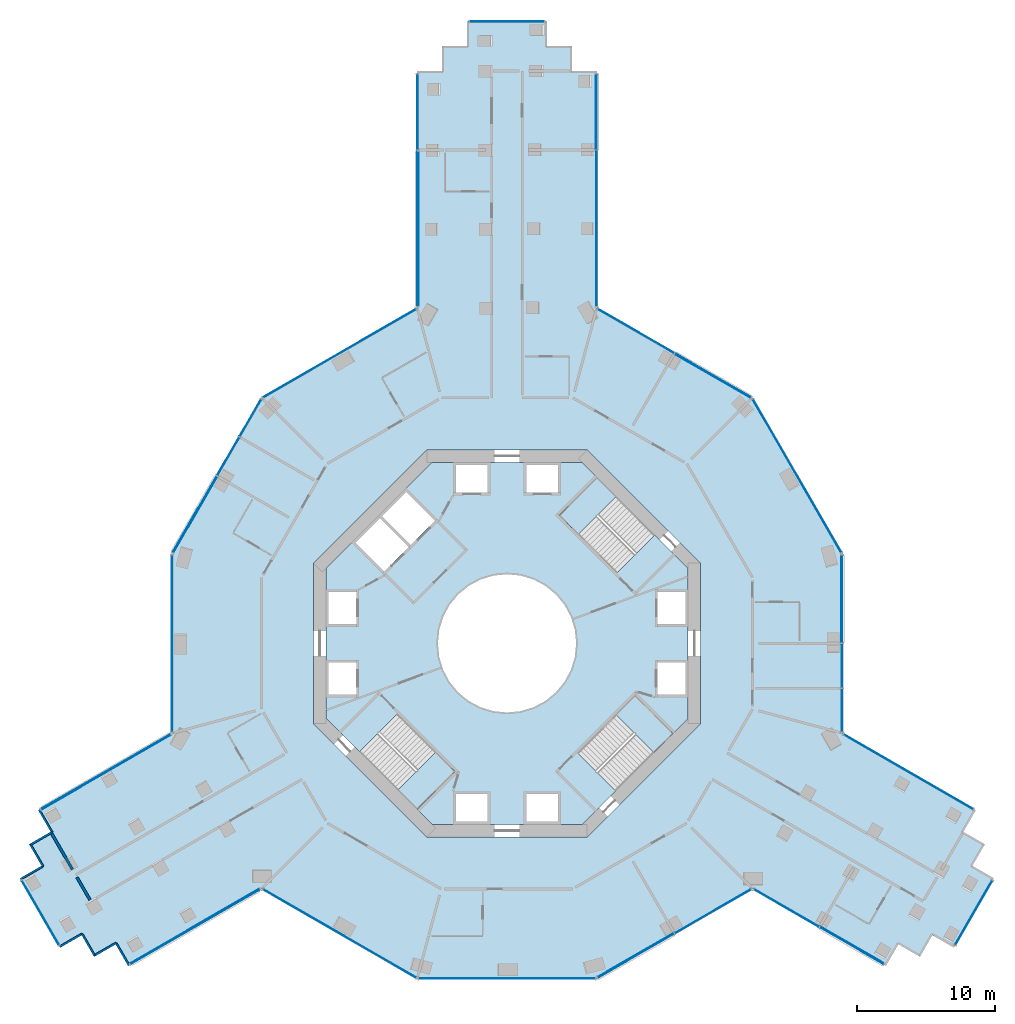
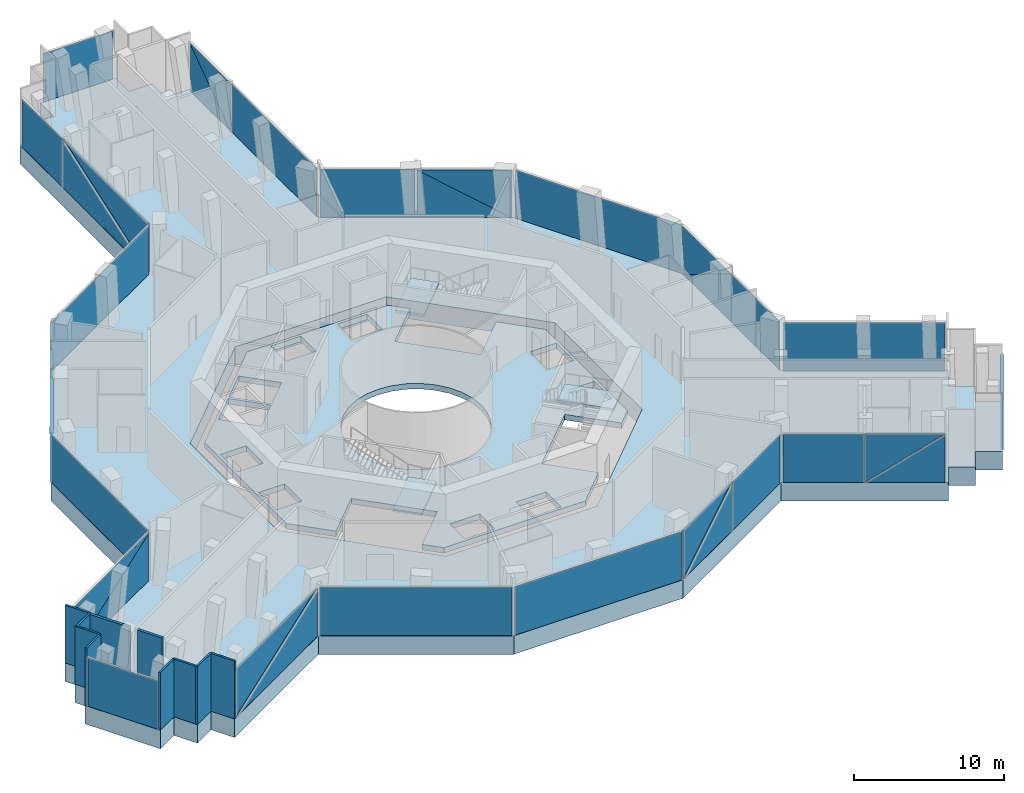
# One storey, part 8 of 16: 36 plates, 10 walls, 5 slabs, 21 elements without a shape of their own.
"""IFC4 building model written with IfcOpenShell, lengths in metres."""

from ifc_helpers import new_model, si_unit, direction, frame, frame_2d, origin, origin_2d, place, context, subcontext, project, spatial, polyline, rectangle, outline, extrude, material, layer, layer_set, type_object, element, aggregate, save


model = new_model("IFC4")

# Units and contexts
model_context = context("Model", 3, precision=1e-05, world=origin(), true_north=direction((0.0, 1.0)))
body_context = subcontext(model_context, "Body", "Model", "MODEL_VIEW")
ifc_project = project(units=[si_unit("LENGTHUNIT", "METRE"), si_unit("AREAUNIT", "SQUARE_METRE"), si_unit("VOLUMEUNIT", "CUBIC_METRE"), si_unit("PLANEANGLEUNIT", "RADIAN"), si_unit("MASSUNIT", "GRAM", prefix="KILO")], contexts=[model_context])

# Site, building, storey
site_placement = place(None, origin())
site = spatial("IfcSite", under=ifc_project, at=site_placement, CompositionType="ELEMENT")
building_placement = place(site_placement, origin())
building = spatial("IfcBuilding", under=site, at=building_placement, Name="Verdalira Terraces Hotel", CompositionType="ELEMENT")
storey_placement = place(building_placement, frame((0.0, 0.0, 34.0)))
storey = spatial("IfcBuildingStorey", under=building, at=storey_placement, Name="L06", CompositionType="ELEMENT", Elevation=34.0)

# Curtain wall, plates
ifc_material_1 = material(Name="Clear glass", Category="glass")
ifc_layer_1 = layer(ifc_material_1, 0.239990234375)
ifc_layer_set_1 = layer_set([ifc_layer_1], Name="CW5 curtain wall")
curtain_wall_type = type_object("IfcCurtainWallType", Name="CW5 curtain wall", PredefinedType="NOTDEFINED", material=ifc_layer_set_1)
curtain_wall_1_placement = place(storey_placement, origin())
curtain_wall_1 = element("IfcCurtainWall", 1, at=curtain_wall_1_placement, inside=storey, type_object=curtain_wall_type, Name="CW5 curtain wall L06 edge 0", PredefinedType="NOTDEFINED")
ifc_material_2 = material(Name="Clear glass", Category="glass")
ifc_layer_2 = layer(ifc_material_2, 0.0439453125)
ifc_layer_set_2 = layer_set([ifc_layer_2], Name="CW5 glass unit 44")
plate_type = type_object("IfcPlateType", Name="CW5 glass unit 44", PredefinedType="CURTAIN_PANEL", material=ifc_layer_set_2)
plate_1_placement = place(storey_placement, frame((6.469971, 30.015625, 0.0), z_axis=(0.0, 0.0, 1.0), x_axis=(0.0, 1.0, 0.0)))
plate_1 = element("IfcPlate", 2, at=plate_1_placement, type_object=plate_type, Name="CW5 glass unit", PredefinedType="CURTAIN_PANEL", context=body_context, shape_type="SweptSolid", body=[
    extrude(rectangle(XDim=11.270752, YDim=0.043945, at=origin_2d()), origin(), (0.0, 0.0, 1.0), 3.915039),
])
plate_2_placement = place(storey_placement, frame((6.447998, 38.450439, 1.95752), z_axis=(1.0, 0.0, 0.0), x_axis=(0.0, 1.0, 0.0)))
plate_2 = element("IfcPlate", 3, at=plate_2_placement, type_object=plate_type, Name="CW5 glass unit", PredefinedType="CURTAIN_PANEL", context=body_context, shape_type="SweptSolid", body=[
    extrude(outline(polyline([(-2.729492, -1.95752), (2.729492, -1.95752), (2.729492, 1.95752), (-2.729492, -1.95752)])), origin(), (0.0, 0.0, 1.0), 0.043945),
])
plate_3_placement = place(storey_placement, frame((6.403076, 38.450439, 1.95752), z_axis=(1.0, 0.0, 0.0), x_axis=(0.0, 1.0, 0.0)))
plate_3 = element("IfcPlate", 4, at=plate_3_placement, type_object=plate_type, Name="CW5 glass unit", PredefinedType="CURTAIN_PANEL", context=body_context, shape_type="SweptSolid", body=[
    extrude(outline(polyline([(-2.729492, -1.95752), (2.729492, 1.95752), (-2.729492, 1.95752), (-2.729492, -1.95752)])), origin(), (0.0, 0.0, 1.0), 0.043945),
])
aggregate(curtain_wall_1, [plate_1, plate_2, plate_3])

# Curtain wall, plate
curtain_wall_2_placement = place(storey_placement, origin())
curtain_wall_2 = element("IfcCurtainWall", 5, at=curtain_wall_2_placement, inside=storey, type_object=curtain_wall_type, Name="CW5 curtain wall L06 edge 5", PredefinedType="NOTDEFINED")
plate_4_placement = place(storey_placement, frame((0.0, 44.969971, 0.0), z_axis=(0.0, 0.0, 1.0), x_axis=(-1.0, 0.0, 0.0)))
plate_4 = element("IfcPlate", 6, at=plate_4_placement, type_object=plate_type, Name="CW5 glass unit", PredefinedType="CURTAIN_PANEL", context=body_context, shape_type="SweptSolid", body=[
    extrude(rectangle(XDim=5.360107, YDim=0.043945, at=origin_2d()), origin(), (0.0, 0.0, 1.0), 3.915039),
])
aggregate(curtain_wall_2, [plate_4])

# Curtain wall, plates
curtain_wall_3_placement = place(storey_placement, origin())
curtain_wall_3 = element("IfcCurtainWall", 7, at=curtain_wall_3_placement, inside=storey, type_object=curtain_wall_type, Name="CW5 curtain wall L06 edge 10", PredefinedType="NOTDEFINED")
plate_5_placement = place(storey_placement, frame((-6.469971, 38.450439, 0.0), z_axis=(0.0, 0.0, 1.0), x_axis=(0.0, -1.0, 0.0)))
plate_5 = element("IfcPlate", 8, at=plate_5_placement, type_object=plate_type, Name="CW5 glass unit", PredefinedType="CURTAIN_PANEL", context=body_context, shape_type="SweptSolid", body=[
    extrude(rectangle(XDim=5.458984, YDim=0.043945, at=origin_2d()), origin(), (0.0, 0.0, 1.0), 3.915039),
])
plate_6_placement = place(storey_placement, frame((-6.447998, 30.015625, 1.95752), z_axis=(-1.0, 0.0, 0.0), x_axis=(0.0, -1.0, 0.0)))
plate_6 = element("IfcPlate", 9, at=plate_6_placement, type_object=plate_type, Name="CW5 glass unit", PredefinedType="CURTAIN_PANEL", context=body_context, shape_type="SweptSolid", body=[
    extrude(outline(polyline([(-5.635254, -1.95752), (5.635254, -1.95752), (-5.635254, 1.95752), (-5.635254, -1.95752)])), origin(), (0.0, 0.0, 1.0), 0.043945),
])
plate_7_placement = place(storey_placement, frame((-6.403076, 30.015625, 1.95752), z_axis=(-1.0, 0.0, 0.0), x_axis=(0.0, -1.0, 0.0)))
plate_7 = element("IfcPlate", 10, at=plate_7_placement, type_object=plate_type, Name="CW5 glass unit", PredefinedType="CURTAIN_PANEL", context=body_context, shape_type="SweptSolid", body=[
    extrude(outline(polyline([(5.635254, -1.95752), (5.635254, 1.95752), (-5.635254, 1.95752), (5.635254, -1.95752)])), origin(), (0.0, 0.0, 1.0), 0.043945),
])
aggregate(curtain_wall_3, [plate_5, plate_6, plate_7])

# Curtain wall, plate
curtain_wall_4_placement = place(storey_placement, origin())
curtain_wall_4 = element("IfcCurtainWall", 11, at=curtain_wall_4_placement, inside=storey, type_object=curtain_wall_type, Name="CW5 curtain wall L06 edge 11", PredefinedType="NOTDEFINED")
plate_8_placement = place(storey_placement, frame((-12.119141, 20.979492, 0.0), z_axis=(0.0, 0.0, 1.0), x_axis=(-0.866025404, -0.5, 0.0)))
plate_8 = element("IfcPlate", 12, at=plate_8_placement, type_object=plate_type, Name="CW5 glass unit", PredefinedType="CURTAIN_PANEL", context=body_context, shape_type="SweptSolid", body=[
    extrude(rectangle(XDim=12.767822, YDim=0.043945, at=origin_2d()), origin(), (0.0, 0.0, 1.0), 3.915039),
])
aggregate(curtain_wall_4, [plate_8])

# Curtain wall, plates
curtain_wall_5_placement = place(storey_placement, origin())
curtain_wall_5 = element("IfcCurtainWall", 13, at=curtain_wall_5_placement, inside=storey, type_object=curtain_wall_type, Name="CW5 curtain wall L06 edge 12", PredefinedType="NOTDEFINED")
plate_9_placement = place(storey_placement, frame((-18.563721, 16.303467, 0.0), z_axis=(0.0, 0.0, 1.0), x_axis=(-0.5, -0.866025404, 0.0)))
plate_9 = element("IfcPlate", 14, at=plate_9_placement, type_object=plate_type, Name="CW5 glass unit", PredefinedType="CURTAIN_PANEL", context=body_context, shape_type="SweptSolid", body=[
    extrude(rectangle(XDim=3.104736, YDim=0.043945, at=origin_2d()), origin(), (0.0, 0.0, 1.0), 3.915039),
])
plate_10_placement = place(storey_placement, frame((-20.169922, 13.521484, 0.0), z_axis=(0.0, 0.0, 1.0), x_axis=(-0.5, -0.866025404, 0.0)))
plate_10 = element("IfcPlate", 15, at=plate_10_placement, type_object=plate_type, Name="CW5 glass unit", PredefinedType="CURTAIN_PANEL", context=body_context, shape_type="SweptSolid", body=[
    extrude(rectangle(XDim=3.179932, YDim=0.043945, at=origin_2d()), origin(), (0.0, 0.0, 1.0), 3.915039),
])
plate_11_placement = place(storey_placement, frame((-22.56958, 9.321045, 1.95752), z_axis=(-0.866025404, 0.5, 0.0), x_axis=(-0.5, -0.866025404, 0.0)))
plate_11 = element("IfcPlate", 16, at=plate_11_placement, type_object=plate_type, Name="CW5 glass unit", PredefinedType="CURTAIN_PANEL", context=body_context, shape_type="SweptSolid", body=[
    extrude(outline(polyline([(-3.177246, -1.95752), (3.177246, -1.95752), (3.177246, 1.95752), (-3.177246, -1.95752)])), origin(), (0.0, 0.0, 1.0), 0.043945),
])
plate_12_placement = place(storey_placement, frame((-22.530762, 9.298584, 1.95752), z_axis=(-0.866025404, 0.5, 0.0), x_axis=(-0.5, -0.866025404, 0.0)))
plate_12 = element("IfcPlate", 17, at=plate_12_placement, type_object=plate_type, Name="CW5 glass unit", PredefinedType="CURTAIN_PANEL", context=body_context, shape_type="SweptSolid", body=[
    extrude(outline(polyline([(-3.177246, -1.95752), (3.177246, 1.95752), (-3.177246, 1.95752), (-3.177246, -1.95752)])), origin(), (0.0, 0.0, 1.0), 0.043945),
])
aggregate(curtain_wall_5, [plate_9, plate_10, plate_11, plate_12])

# Curtain wall, plate
curtain_wall_6_placement = place(storey_placement, origin())
curtain_wall_6 = element("IfcCurtainWall", 18, at=curtain_wall_6_placement, inside=storey, type_object=curtain_wall_type, Name="CW5 curtain wall L06 edge 13", PredefinedType="NOTDEFINED")
plate_13_placement = place(storey_placement, frame((-24.228271, 0.005859, 0.0), z_axis=(0.0, 0.0, 1.0), x_axis=(0.0, -1.0, 0.0)))
plate_13 = element("IfcPlate", 19, at=plate_13_placement, type_object=plate_type, Name="CW5 glass unit", PredefinedType="CURTAIN_PANEL", context=body_context, shape_type="SweptSolid", body=[
    extrude(rectangle(XDim=12.767822, YDim=0.043945, at=origin_2d()), origin(), (0.0, 0.0, 1.0), 3.915039),
])
aggregate(curtain_wall_6, [plate_13])

# Curtain wall, plates
curtain_wall_7_placement = place(storey_placement, origin())
curtain_wall_7 = element("IfcCurtainWall", 20, at=curtain_wall_7_placement, inside=storey, type_object=curtain_wall_type, Name="CW5 curtain wall L06 edge 14", PredefinedType="NOTDEFINED")
plate_14_placement = place(storey_placement, frame((-29.014404, -9.305908, 1.95752), z_axis=(-0.5, 0.866025404, 0.0), x_axis=(-0.866025404, -0.5, 0.0)))
plate_14 = element("IfcPlate", 21, at=plate_14_placement, type_object=plate_type, Name="CW5 glass unit", PredefinedType="CURTAIN_PANEL", context=body_context, shape_type="SweptSolid", body=[
    extrude(outline(polyline([(-5.399902, -1.95752), (5.399902, -1.95752), (-5.399902, 1.95752), (-5.399902, -1.95752)])), origin(), (0.0, 0.0, 1.0), 0.043945),
])
plate_15_placement = place(storey_placement, frame((-28.991943, -9.344727, 1.95752), z_axis=(-0.5, 0.866025404, 0.0), x_axis=(-0.866025404, -0.5, 0.0)))
plate_15 = element("IfcPlate", 22, at=plate_15_placement, type_object=plate_type, Name="CW5 glass unit", PredefinedType="CURTAIN_PANEL", context=body_context, shape_type="SweptSolid", body=[
    extrude(outline(polyline([(5.399902, -1.95752), (5.399902, 1.95752), (-5.399902, 1.95752), (5.399902, -1.95752)])), origin(), (0.0, 0.0, 1.0), 0.043945),
])
aggregate(curtain_wall_7, [plate_14, plate_15])

# Curtain wall, plate
curtain_wall_8_placement = place(storey_placement, origin())
curtain_wall_8 = element("IfcCurtainWall", 23, at=curtain_wall_8_placement, inside=storey, type_object=curtain_wall_type, Name="CW5 curtain wall L06 edge 19", PredefinedType="NOTDEFINED")
plate_16_placement = place(storey_placement, frame((-33.749023, -19.485107, 0.0), z_axis=(0.0, 0.0, 1.0), x_axis=(0.5, -0.866025404, 0.0)))
plate_16 = element("IfcPlate", 24, at=plate_16_placement, type_object=plate_type, Name="CW5 glass unit", PredefinedType="CURTAIN_PANEL", context=body_context, shape_type="SweptSolid", body=[
    extrude(rectangle(XDim=5.360107, YDim=0.043945, at=origin_2d()), origin(), (0.0, 0.0, 1.0), 3.915039),
])
aggregate(curtain_wall_8, [plate_16])

# Curtain wall, plates
curtain_wall_9_placement = place(storey_placement, origin())
curtain_wall_9 = element("IfcCurtainWall", 25, at=curtain_wall_9_placement, inside=storey, type_object=curtain_wall_type, Name="CW5 curtain wall L06 edge 24", PredefinedType="NOTDEFINED")
plate_17_placement = place(storey_placement, frame((-22.566406, -20.474121, 1.95752), z_axis=(0.5, -0.866025404, 0.0), x_axis=(0.866025404, 0.5, 0.0)))
plate_17 = element("IfcPlate", 26, at=plate_17_placement, type_object=plate_type, Name="CW5 glass unit", PredefinedType="CURTAIN_PANEL", context=body_context, shape_type="SweptSolid", body=[
    extrude(outline(polyline([(-5.399902, -1.95752), (5.399902, -1.95752), (5.399902, 1.95752), (-5.399902, -1.95752)])), origin(), (0.0, 0.0, 1.0), 0.043945),
])
plate_18_placement = place(storey_placement, frame((-22.588867, -20.435303, 1.95752), z_axis=(0.5, -0.866025404, 0.0), x_axis=(0.866025404, 0.5, 0.0)))
plate_18 = element("IfcPlate", 27, at=plate_18_placement, type_object=plate_type, Name="CW5 glass unit", PredefinedType="CURTAIN_PANEL", context=body_context, shape_type="SweptSolid", body=[
    extrude(outline(polyline([(-5.399902, -1.95752), (5.399902, 1.95752), (-5.399902, 1.95752), (-5.399902, -1.95752)])), origin(), (0.0, 0.0, 1.0), 0.043945),
])
aggregate(curtain_wall_9, [plate_17, plate_18])

# Curtain wall, plate
curtain_wall_10_placement = place(storey_placement, origin())
curtain_wall_10 = element("IfcCurtainWall", 28, at=curtain_wall_10_placement, inside=storey, type_object=curtain_wall_type, Name="CW5 curtain wall L06 edge 25", PredefinedType="NOTDEFINED")
plate_19_placement = place(storey_placement, frame((-12.109131, -20.985352, 0.0), z_axis=(0.0, 0.0, 1.0), x_axis=(0.866025404, -0.5, 0.0)))
plate_19 = element("IfcPlate", 29, at=plate_19_placement, type_object=plate_type, Name="CW5 glass unit", PredefinedType="CURTAIN_PANEL", context=body_context, shape_type="SweptSolid", body=[
    extrude(rectangle(XDim=12.767822, YDim=0.043945, at=origin_2d()), origin(), (0.0, 0.0, 1.0), 3.915039),
])
aggregate(curtain_wall_10, [plate_19])

curtain_wall_11_placement = place(storey_placement, origin())
curtain_wall_11 = element("IfcCurtainWall", 30, at=curtain_wall_11_placement, inside=storey, type_object=curtain_wall_type, Name="CW5 curtain wall L06 edge 26", PredefinedType="NOTDEFINED")
plate_20_placement = place(storey_placement, frame((0.0, -24.228271, 0.0), z_axis=(0.0, 0.0, 1.0), x_axis=(1.0, 0.0, 0.0)))
plate_20 = element("IfcPlate", 31, at=plate_20_placement, type_object=plate_type, Name="CW5 glass unit", PredefinedType="CURTAIN_PANEL", context=body_context, shape_type="SweptSolid", body=[
    extrude(rectangle(XDim=12.779541, YDim=0.043945, at=origin_2d()), origin(), (0.0, 0.0, 1.0), 3.915039),
])
aggregate(curtain_wall_11, [plate_20])

# Curtain wall, plates
curtain_wall_12_placement = place(storey_placement, origin())
curtain_wall_12 = element("IfcCurtainWall", 32, at=curtain_wall_12_placement, inside=storey, type_object=curtain_wall_type, Name="CW5 curtain wall L06 edge 27", PredefinedType="NOTDEFINED")
plate_21_placement = place(storey_placement, frame((9.321045, -22.56958, 1.95752), z_axis=(0.5, -0.866025404, 0.0), x_axis=(0.866025404, 0.5, 0.0)))
plate_21 = element("IfcPlate", 33, at=plate_21_placement, type_object=plate_type, Name="CW5 glass unit", PredefinedType="CURTAIN_PANEL", context=body_context, shape_type="SweptSolid", body=[
    extrude(outline(polyline([(-3.177246, -1.95752), (3.177246, -1.95752), (3.177246, 1.95752), (-3.177246, -1.95752)])), origin(), (0.0, 0.0, 1.0), 0.043945),
])
plate_22_placement = place(storey_placement, frame((9.298584, -22.530762, 1.95752), z_axis=(0.5, -0.866025404, 0.0), x_axis=(0.866025404, 0.5, 0.0)))
plate_22 = element("IfcPlate", 34, at=plate_22_placement, type_object=plate_type, Name="CW5 glass unit", PredefinedType="CURTAIN_PANEL", context=body_context, shape_type="SweptSolid", body=[
    extrude(outline(polyline([(-3.177246, -1.95752), (3.177246, 1.95752), (-3.177246, 1.95752), (-3.177246, -1.95752)])), origin(), (0.0, 0.0, 1.0), 0.043945),
])
plate_23_placement = place(storey_placement, frame((14.891113, -19.37915, 0.0), z_axis=(0.0, 0.0, 1.0), x_axis=(0.866025404, 0.5, 0.0)))
plate_23 = element("IfcPlate", 35, at=plate_23_placement, type_object=plate_type, Name="CW5 glass unit", PredefinedType="CURTAIN_PANEL", context=body_context, shape_type="SweptSolid", body=[
    extrude(rectangle(XDim=6.343018, YDim=0.043945, at=origin_2d()), origin(), (0.0, 0.0, 1.0), 3.915039),
])
aggregate(curtain_wall_12, [plate_21, plate_22, plate_23])

curtain_wall_13_placement = place(storey_placement, origin())
curtain_wall_13 = element("IfcCurtainWall", 36, at=curtain_wall_13_placement, inside=storey, type_object=curtain_wall_type, Name="CW5 curtain wall L06 edge 28", PredefinedType="NOTDEFINED")
plate_24_placement = place(storey_placement, frame((20.223145, -19.146729, 0.0), z_axis=(0.0, 0.0, 1.0), x_axis=(0.866025404, -0.5, 0.0)))
plate_24 = element("IfcPlate", 37, at=plate_24_placement, type_object=plate_type, Name="CW5 glass unit", PredefinedType="CURTAIN_PANEL", context=body_context, shape_type="SweptSolid", body=[
    extrude(rectangle(XDim=5.413818, YDim=0.043945, at=origin_2d()), origin(), (0.0, 0.0, 1.0), 3.915039),
])
plate_25_placement = place(storey_placement, frame((24.940918, -21.845215, 1.95752), z_axis=(-0.5, -0.866025404, 0.0), x_axis=(0.866025404, -0.5, 0.0)))
plate_25 = element("IfcPlate", 38, at=plate_25_placement, type_object=plate_type, Name="CW5 glass unit", PredefinedType="CURTAIN_PANEL", context=body_context, shape_type="SweptSolid", body=[
    extrude(outline(polyline([(-2.657959, -1.95752), (2.657959, -1.95752), (2.657959, 1.95752), (-2.657959, -1.95752)])), origin(), (0.0, 0.0, 1.0), 0.043945),
])
plate_26_placement = place(storey_placement, frame((24.963379, -21.806396, 1.95752), z_axis=(-0.5, -0.866025404, 0.0), x_axis=(0.866025404, -0.5, 0.0)))
plate_26 = element("IfcPlate", 39, at=plate_26_placement, type_object=plate_type, Name="CW5 glass unit", PredefinedType="CURTAIN_PANEL", context=body_context, shape_type="SweptSolid", body=[
    extrude(outline(polyline([(-2.657959, -1.95752), (2.657959, 1.95752), (-2.657959, 1.95752), (-2.657959, -1.95752)])), origin(), (0.0, 0.0, 1.0), 0.043945),
])
aggregate(curtain_wall_13, [plate_24, plate_25, plate_26])

# Curtain wall, plate
curtain_wall_14_placement = place(storey_placement, origin())
curtain_wall_14 = element("IfcCurtainWall", 40, at=curtain_wall_14_placement, inside=storey, type_object=curtain_wall_type, Name="CW5 curtain wall L06 edge 33", PredefinedType="NOTDEFINED")
plate_27_placement = place(storey_placement, frame((33.749023, -19.485107, 0.0), z_axis=(0.0, 0.0, 1.0), x_axis=(0.5, 0.866025404, 0.0)))
plate_27 = element("IfcPlate", 41, at=plate_27_placement, type_object=plate_type, Name="CW5 glass unit", PredefinedType="CURTAIN_PANEL", context=body_context, shape_type="SweptSolid", body=[
    extrude(rectangle(XDim=5.360107, YDim=0.043945, at=origin_2d()), origin(), (0.0, 0.0, 1.0), 3.915039),
])
aggregate(curtain_wall_14, [plate_27])

curtain_wall_15_placement = place(storey_placement, origin())
curtain_wall_15 = element("IfcCurtainWall", 42, at=curtain_wall_15_placement, inside=storey, type_object=curtain_wall_type, Name="CW5 curtain wall L06 edge 38", PredefinedType="NOTDEFINED")
plate_28_placement = place(storey_placement, frame((29.025391, -9.286865, 0.0), z_axis=(0.0, 0.0, 1.0), x_axis=(-0.866025404, 0.5, 0.0)))
plate_28 = element("IfcPlate", 43, at=plate_28_placement, type_object=plate_type, Name="CW5 glass unit", PredefinedType="CURTAIN_PANEL", context=body_context, shape_type="SweptSolid", body=[
    extrude(rectangle(XDim=10.799805, YDim=0.043945, at=origin_2d()), origin(), (0.0, 0.0, 1.0), 3.915039),
])
aggregate(curtain_wall_15, [plate_28])

# Curtain wall, plates
curtain_wall_16_placement = place(storey_placement, origin())
curtain_wall_16 = element("IfcCurtainWall", 44, at=curtain_wall_16_placement, inside=storey, type_object=curtain_wall_type, Name="CW5 curtain wall L06 edge 39", PredefinedType="NOTDEFINED")
plate_29_placement = place(storey_placement, frame((24.228271, -4.831543, 0.0), z_axis=(0.0, 0.0, 1.0), x_axis=(0.0, 1.0, 0.0)))
plate_29 = element("IfcPlate", 45, at=plate_29_placement, type_object=plate_type, Name="CW5 glass unit", PredefinedType="CURTAIN_PANEL", context=body_context, shape_type="SweptSolid", body=[
    extrude(rectangle(XDim=3.093018, YDim=0.043945, at=origin_2d()), origin(), (0.0, 0.0, 1.0), 3.915039),
])
plate_30_placement = place(storey_placement, frame((24.228271, -1.625, 0.0), z_axis=(0.0, 0.0, 1.0), x_axis=(0.0, 1.0, 0.0)))
plate_30 = element("IfcPlate", 46, at=plate_30_placement, type_object=plate_type, Name="CW5 glass unit", PredefinedType="CURTAIN_PANEL", context=body_context, shape_type="SweptSolid", body=[
    extrude(rectangle(XDim=3.179932, YDim=0.043945, at=origin_2d()), origin(), (0.0, 0.0, 1.0), 3.915039),
])
plate_31_placement = place(storey_placement, frame((24.206299, 3.212402, 1.95752), z_axis=(1.0, 0.0, 0.0), x_axis=(0.0, 1.0, 0.0)))
plate_31 = element("IfcPlate", 47, at=plate_31_placement, type_object=plate_type, Name="CW5 glass unit", PredefinedType="CURTAIN_PANEL", context=body_context, shape_type="SweptSolid", body=[
    extrude(outline(polyline([(-3.177246, -1.95752), (3.177246, -1.95752), (-3.177246, 1.95752), (-3.177246, -1.95752)])), origin(), (0.0, 0.0, 1.0), 0.043945),
])
plate_32_placement = place(storey_placement, frame((24.161377, 3.212402, 1.95752), z_axis=(1.0, 0.0, 0.0), x_axis=(0.0, 1.0, 0.0)))
plate_32 = element("IfcPlate", 48, at=plate_32_placement, type_object=plate_type, Name="CW5 glass unit", PredefinedType="CURTAIN_PANEL", context=body_context, shape_type="SweptSolid", body=[
    extrude(outline(polyline([(3.177246, -1.95752), (3.177246, 1.95752), (-3.177246, 1.95752), (3.177246, -1.95752)])), origin(), (0.0, 0.0, 1.0), 0.043945),
])
aggregate(curtain_wall_16, [plate_29, plate_30, plate_31, plate_32])

# Curtain wall, plate
curtain_wall_17_placement = place(storey_placement, origin())
curtain_wall_17 = element("IfcCurtainWall", 49, at=curtain_wall_17_placement, inside=storey, type_object=curtain_wall_type, Name="CW5 curtain wall L06 edge 40", PredefinedType="NOTDEFINED")
plate_33_placement = place(storey_placement, frame((20.982422, 12.114258, 0.0), z_axis=(0.0, 0.0, 1.0), x_axis=(-0.5, 0.866025404, 0.0)))
plate_33 = element("IfcPlate", 50, at=plate_33_placement, type_object=plate_type, Name="CW5 glass unit", PredefinedType="CURTAIN_PANEL", context=body_context, shape_type="SweptSolid", body=[
    extrude(rectangle(XDim=12.779541, YDim=0.043945, at=origin_2d()), origin(), (0.0, 0.0, 1.0), 3.915039),
])
aggregate(curtain_wall_17, [plate_33])

# Curtain wall, plates
curtain_wall_18_placement = place(storey_placement, origin())
curtain_wall_18 = element("IfcCurtainWall", 51, at=curtain_wall_18_placement, inside=storey, type_object=curtain_wall_type, Name="CW5 curtain wall L06 edge 41", PredefinedType="NOTDEFINED")
plate_34_placement = place(storey_placement, frame((14.885254, 19.357178, 1.95752), z_axis=(0.5, 0.866025404, 0.0), x_axis=(-0.866025404, 0.5, 0.0)))
plate_34 = element("IfcPlate", 52, at=plate_34_placement, type_object=plate_type, Name="CW5 glass unit", PredefinedType="CURTAIN_PANEL", context=body_context, shape_type="SweptSolid", body=[
    extrude(outline(polyline([(-3.177246, -1.95752), (3.177246, -1.95752), (3.177246, 1.95752), (-3.177246, -1.95752)])), origin(), (0.0, 0.0, 1.0), 0.043945),
])
plate_35_placement = place(storey_placement, frame((14.862793, 19.318359, 1.95752), z_axis=(0.5, 0.866025404, 0.0), x_axis=(-0.866025404, 0.5, 0.0)))
plate_35 = element("IfcPlate", 53, at=plate_35_placement, type_object=plate_type, Name="CW5 glass unit", PredefinedType="CURTAIN_PANEL", context=body_context, shape_type="SweptSolid", body=[
    extrude(outline(polyline([(-3.177246, -1.95752), (3.177246, 1.95752), (-3.177246, 1.95752), (-3.177246, -1.95752)])), origin(), (0.0, 0.0, 1.0), 0.043945),
])
plate_36_placement = place(storey_placement, frame((9.337158, 22.585693, 0.0), z_axis=(0.0, 0.0, 1.0), x_axis=(-0.866025404, 0.5, 0.0)))
plate_36 = element("IfcPlate", 54, at=plate_36_placement, type_object=plate_type, Name="CW5 glass unit", PredefinedType="CURTAIN_PANEL", context=body_context, shape_type="SweptSolid", body=[
    extrude(rectangle(XDim=6.343018, YDim=0.043945, at=origin_2d()), origin(), (0.0, 0.0, 1.0), 3.915039),
])
aggregate(curtain_wall_18, [plate_34, plate_35, plate_36])

# Slab
ifc_material_3 = material(Name="Concrete C40", Category="concrete")
ifc_layer_3 = layer(ifc_material_3, 0.449951171875)
ifc_layer_set_3 = layer_set([ifc_layer_3], Name="Core floor slab 450 mm")
slab_type_1 = type_object("IfcSlabType", Name="Core floor slab 450 mm", PredefinedType="FLOOR", material=ifc_layer_set_3)
slab_1_placement = place(storey_placement, frame((0.0, 0.0, -0.449951)))
element("IfcSlab", 55, at=slab_1_placement, inside=storey, type_object=slab_type_1, Name="L06 core floor", PredefinedType="FLOOR", context=body_context, shape_type="SweptSolid", body=[
    extrude(outline(polyline([(-5.42627, 13.100098), (5.42627, 13.100098), (6.491211, 12.034912), (3.719482, 9.263184), (7.905029, 5.077393), (10.677002, 7.849121), (13.100098, 5.42627), (13.100098, -5.42627), (12.034912, -6.491211), (9.263184, -3.719482), (5.077393, -7.905029), (7.849121, -10.677002), (5.42627, -13.100098), (-5.42627, -13.100098), (-6.491211, -12.034912), (-3.719482, -9.263184), (-7.905029, -5.077393), (-10.677002, -7.849121), (-13.100098, -5.42627), (-13.100098, 5.42627), (-5.42627, 13.100098)]), holes=[polyline([(12.899902, -3.699951), (12.899902, -1.399902), (10.899902, -1.399902), (10.899902, -3.699951), (12.899902, -3.699951)]), polyline([(12.899902, 1.399902), (12.899902, 3.699951), (10.899902, 3.699951), (10.899902, 1.399902), (12.899902, 1.399902)]), polyline([(1.399902, 10.899902), (3.699951, 10.899902), (3.699951, 12.899902), (1.399902, 12.899902), (1.399902, 10.899902)]), polyline([(-3.699951, 10.899902), (-1.399902, 10.899902), (-1.399902, 12.899902), (-3.699951, 12.899902), (-3.699951, 10.899902)]), polyline([(-12.899902, 3.699951), (-12.899902, 1.399902), (-10.899902, 1.399902), (-10.899902, 3.699951), (-12.899902, 3.699951)]), polyline([(-12.899902, -1.399902), (-12.899902, -3.699951), (-10.899902, -3.699951), (-10.899902, -1.399902), (-12.899902, -1.399902)]), polyline([(-1.399902, -10.899902), (-3.699951, -10.899902), (-3.699951, -12.899902), (-1.399902, -12.899902), (-1.399902, -10.899902)]), polyline([(3.699951, -10.899902), (1.399902, -10.899902), (1.399902, -12.899902), (3.699951, -12.899902), (3.699951, -10.899902)]), polyline([(-9.051025, 9.192383), (-6.965088, 7.106445), (-5.197266, 8.874268), (-7.283203, 10.960205), (-9.051025, 9.192383)]), polyline([(-9.192383, 9.051025), (-10.960205, 7.283203), (-8.874268, 5.197266), (-7.106445, 6.965088), (-9.192383, 9.051025)]), polyline([(3.5354, 3.5354), (2.777832, 4.157227), (1.91333, 4.619385), (0.975586, 4.903809), (0.0, 5.0), (-0.975586, 4.903809), (-1.91333, 4.619385), (-2.777832, 4.157227), (-3.5354, 3.5354), (-4.157227, 2.777832), (-4.619385, 1.91333), (-4.903809, 0.975586), (-5.0, 0.0), (-4.903809, -0.975586), (-4.619385, -1.91333), (-4.157227, -2.777832), (-3.5354, -3.5354), (-2.777832, -4.157227), (-1.91333, -4.619385), (-0.975586, -4.903809), (0.0, -5.0), (0.975586, -4.903809), (1.91333, -4.619385), (2.777832, -4.157227), (3.5354, -3.5354), (4.157227, -2.777832), (4.619385, -1.91333), (4.903809, -0.975586), (5.0, 0.0), (4.903809, 0.975586), (4.619385, 1.91333), (4.157227, 2.777832), (3.5354, 3.5354)])]), origin(), (0.0, 0.0, 1.0), 0.449951),
])

# Stair, slab
ifc_material_4 = material(Name="Concrete C40", Category="concrete")
stair_type = type_object("IfcStairType", Name="Core stair 30 risers 1900 mm wide", PredefinedType="HALF_TURN_STAIR", material=ifc_material_4)
stair_1_placement = place(storey_placement, origin())
stair_1 = element("IfcStair", 56, at=stair_1_placement, inside=storey, type_object=stair_type, Name="L06 Exit stair ST1", PredefinedType="HALF_TURN_STAIR")
ifc_material_5 = material(Name="Concrete C40", Category="concrete")
ifc_layer_4 = layer(ifc_material_5, 0.199951171875)
ifc_layer_set_4 = layer_set([ifc_layer_4], Name="Core stair landing 200 mm")
slab_type_2 = type_object("IfcSlabType", Name="Core stair landing 200 mm", PredefinedType="LANDING", material=ifc_layer_set_4)
slab_2_placement = place(storey_placement, frame((0.0, 0.0, 2.300049)))
slab_2 = element("IfcSlab", 57, at=slab_2_placement, type_object=slab_type_2, Name="ST1 landing 1", PredefinedType="LANDING", context=body_context, shape_type="SweptSolid", body=[
    extrude(outline(polyline([(7.905762, 10.620361), (6.505371, 12.020752), (3.747559, 9.263184), (5.148193, 7.862793), (7.905762, 10.620361)])), origin(), (0.0, 0.0, 1.0), 0.199951),
])
aggregate(stair_1, [slab_2])

stair_2_placement = place(storey_placement, origin())
stair_2 = element("IfcStair", 58, at=stair_2_placement, inside=storey, type_object=stair_type, Name="L06 Exit stair ST2", PredefinedType="HALF_TURN_STAIR")
slab_3_placement = place(storey_placement, frame((0.0, 0.0, 2.300049)))
slab_3 = element("IfcSlab", 59, at=slab_3_placement, type_object=slab_type_2, Name="ST2 landing 1", PredefinedType="LANDING", context=body_context, shape_type="SweptSolid", body=[
    extrude(outline(polyline([(-7.905762, -10.620361), (-6.505371, -12.020752), (-3.747559, -9.263184), (-5.148193, -7.862793), (-7.905762, -10.620361)])), origin(), (0.0, 0.0, 1.0), 0.199951),
])
aggregate(stair_2, [slab_3])

stair_3_placement = place(storey_placement, origin())
stair_3 = element("IfcStair", 60, at=stair_3_placement, inside=storey, type_object=stair_type, Name="L06 Exit stair ST3", PredefinedType="HALF_TURN_STAIR")
slab_4_placement = place(storey_placement, frame((0.0, 0.0, 2.300049)))
slab_4 = element("IfcSlab", 61, at=slab_4_placement, type_object=slab_type_2, Name="ST3 landing 1", PredefinedType="LANDING", context=body_context, shape_type="SweptSolid", body=[
    extrude(outline(polyline([(10.620361, -7.905762), (12.020752, -6.505371), (9.263184, -3.747559), (7.862793, -5.148193), (10.620361, -7.905762)])), origin(), (0.0, 0.0, 1.0), 0.199951),
])
aggregate(stair_3, [slab_4])

# Slab
ifc_material_6 = material(Name="Concrete C60", Category="concrete")
ifc_layer_5 = layer(ifc_material_6, 1.5)
ifc_layer_set_5 = layer_set([ifc_layer_5], Name="Transfer slab 1500 C60")
slab_type_3 = type_object("IfcSlabType", Name="Transfer slab 1500 C60", PredefinedType="FLOOR", material=ifc_layer_set_5)
slab_5_placement = place(storey_placement, frame((0.0, 0.0, -1.5)))
element("IfcSlab", 62, at=slab_5_placement, inside=storey, type_object=slab_type_3, Name="Transfer slab TS-06", PredefinedType="FLOOR", context=body_context, shape_type="SweptSolid", body=[
    extrude(outline(polyline([(17.758301, 17.758301), (6.5, 24.258301), (6.5, 41.399902), (4.699951, 41.399902), (4.699951, 43.199951), (2.899902, 43.199951), (2.899902, 45.0), (-2.899902, 45.0), (-2.899902, 43.199951), (-4.699951, 43.199951), (-4.699951, 41.399902), (-6.5, 41.399902), (-6.5, 24.258301), (-17.758301, 17.758301), (-24.258301, 6.5), (-24.258301, -6.5), (-33.907227, -12.070801), (-33.007324, -13.629639), (-34.566162, -14.529785), (-33.666016, -16.088379), (-35.225098, -16.988525), (-32.324951, -22.011475), (-30.766113, -21.111572), (-29.866211, -22.67041), (-28.307373, -21.770264), (-27.407227, -23.329102), (-17.758301, -17.758301), (-6.5, -24.258301), (6.5, -24.258301), (17.758301, -17.758301), (27.407227, -23.329102), (28.307373, -21.770264), (29.866211, -22.67041), (30.766113, -21.111572), (32.324951, -22.011475), (35.225098, -16.988525), (33.666016, -16.088379), (34.566162, -14.529785), (33.007324, -13.629639), (33.907227, -12.070801), (24.258301, -6.5), (24.258301, 6.5), (17.758301, 17.758301)]), holes=[polyline([(5.799072, 14.0), (14.0, 5.799072), (14.0, -5.799072), (5.799072, -14.0), (-5.799072, -14.0), (-14.0, -5.799072), (-14.0, 5.799072), (-5.799072, 14.0), (5.799072, 14.0)])]), origin(), (0.0, 0.0, 1.0), 1.5),
])

# Walls
ifc_material_7 = material(Name="Fire-rated gypsum board wall")
ifc_layer_6 = layer(ifc_material_7, 0.199951171875)
ifc_layer_set_6 = layer_set([ifc_layer_6], Name="Demising wall 200 mm")
wall_type_1 = type_object("IfcWallType", Name="Demising wall 200 mm", PredefinedType="SOLIDWALL", material=ifc_layer_set_6)
wall_1_placement = place(storey_placement, frame((-33.007324, -13.629639, 0.0), z_axis=(0.0, 0.0, 1.0), x_axis=(0.499992637, -0.866029655, 0.0)))
element("IfcWall", 63, at=wall_1_placement, inside=storey, type_object=wall_type_1, Name="Demising wall", PredefinedType="SOLIDWALL", context=body_context, shape_type="SweptSolid", body=[
    extrude(rectangle(XDim=3.154785, YDim=0.199951, at=frame_2d((1.577393, 0.0))), origin(), (0.0, 0.0, 1.0), 4.689941),
])
ifc_material_8 = material(Name="Fire-rated gypsum board wall")
ifc_layer_7 = layer(ifc_material_8, 0.199951171875)
ifc_layer_set_7 = layer_set([ifc_layer_7], Name="Guest corridor wall 200 mm")
wall_type_2 = type_object("IfcWallType", Name="Guest corridor wall 200 mm", PredefinedType="SOLIDWALL", material=ifc_layer_set_7)
wall_2_placement = place(storey_placement, frame((-31.108398, -16.918701, 0.0), z_axis=(0.0, 0.0, 1.0), x_axis=(0.50006352, -0.865988727, 0.0)))
element("IfcWall", 64, at=wall_2_placement, inside=storey, type_object=wall_type_2, Name="Guest corridor wall", PredefinedType="SOLIDWALL", context=body_context, shape_type="SweptSolid", body=[
    extrude(rectangle(XDim=1.900146, YDim=0.199951, at=frame_2d((0.950195, 0.0))), origin(), (0.0, 0.0, 1.0), 4.689941),
])
ifc_material_9 = material(Name="Terracotta cladding", Category="masonry")
ifc_layer_8 = layer(ifc_material_9, 0.14990234375)
ifc_layer_set_8 = layer_set([ifc_layer_8], Name="Terracotta clad wall 150")
wall_type_3 = type_object("IfcWallType", Name="Terracotta clad wall 150", PredefinedType="SOLIDWALL", material=ifc_layer_set_8)
wall_3_placement = place(storey_placement, frame((-33.842285, -12.033447, 0.0), z_axis=(0.0, 0.0, 1.0), x_axis=(0.500004234, -0.866022959, 0.0)))
element("IfcWall", 65, at=wall_3_placement, inside=storey, type_object=wall_type_3, Name="Terracotta cladding wall", PredefinedType="SOLIDWALL", context=body_context, shape_type="SweptSolid", body=[
    extrude(rectangle(XDim=1.875, YDim=0.149902, at=frame_2d((0.9375, 0.0))), origin(), (0.0, 0.0, 1.0), 4.689941),
])
wall_4_placement = place(storey_placement, frame((-32.904785, -13.657227, 0.0), z_axis=(0.0, 0.0, 1.0), x_axis=(-0.866047808, -0.499961193, 0.0)))
element("IfcWall", 66, at=wall_4_placement, inside=storey, type_object=wall_type_3, Name="Terracotta cladding wall", PredefinedType="SOLIDWALL", context=body_context, shape_type="SweptSolid", body=[
    extrude(rectangle(XDim=1.800049, YDim=0.149902, at=frame_2d((0.899902, 0.0))), origin(), (0.0, 0.0, 1.0), 4.689941),
])
for number, where, z_axis, x_axis, name in (
    (67, (-34.501221, -14.492188, 0.0), (0.0, 0.0, 1.0), (0.500004234, -0.866022959, 0.0), "Terracotta cladding wall"),
    (68, (-33.563721, -16.115967, 0.0), (0.0, 0.0, 1.0), (-0.866022959, -0.500004234, 0.0), "Terracotta cladding wall"),
    (69, (-32.362549, -21.946533, 0.0), (0.0, 0.0, 1.0), (0.866022959, 0.500004234, 0.0), "Terracotta cladding wall"),
):
    element("IfcWall", number, at=place(storey_placement, frame(where, z_axis=z_axis, x_axis=x_axis)), inside=storey, type_object=wall_type_3, Name=name, PredefinedType="SOLIDWALL", context=body_context, shape_type="SweptSolid", body=[
        extrude(rectangle(XDim=1.875, YDim=0.149902, at=frame_2d((0.9375, 0.0))), origin(), (0.0, 0.0, 1.0), 4.689941),
    ])
wall_5_placement = place(storey_placement, frame((-30.73877, -21.009033, 0.0), z_axis=(0.0, 0.0, 1.0), x_axis=(0.500062917, -0.865989076, 0.0)))
element("IfcWall", 70, at=wall_5_placement, inside=storey, type_object=wall_type_3, Name="Terracotta cladding wall", PredefinedType="SOLIDWALL", context=body_context, shape_type="SweptSolid", body=[
    extrude(rectangle(XDim=1.800049, YDim=0.149902, at=frame_2d((0.899902, 0.0))), origin(), (0.0, 0.0, 1.0), 4.689941),
])
for number, where, z_axis, x_axis, name in (
    (71, (-29.903564, -22.605469, 0.0), (0.0, 0.0, 1.0), (0.866022959, 0.500004234, 0.0), "Terracotta cladding wall"),
    (72, (-28.279785, -21.667969, 0.0), (0.0, 0.0, 1.0), (0.500004234, -0.866022959, 0.0), "Terracotta cladding wall"),
):
    element("IfcWall", number, at=place(storey_placement, frame(where, z_axis=z_axis, x_axis=x_axis)), inside=storey, type_object=wall_type_3, Name=name, PredefinedType="SOLIDWALL", context=body_context, shape_type="SweptSolid", body=[
        extrude(rectangle(XDim=1.875, YDim=0.149902, at=frame_2d((0.9375, 0.0))), origin(), (0.0, 0.0, 1.0), 4.689941),
    ])

save(model, "model.ifc")
